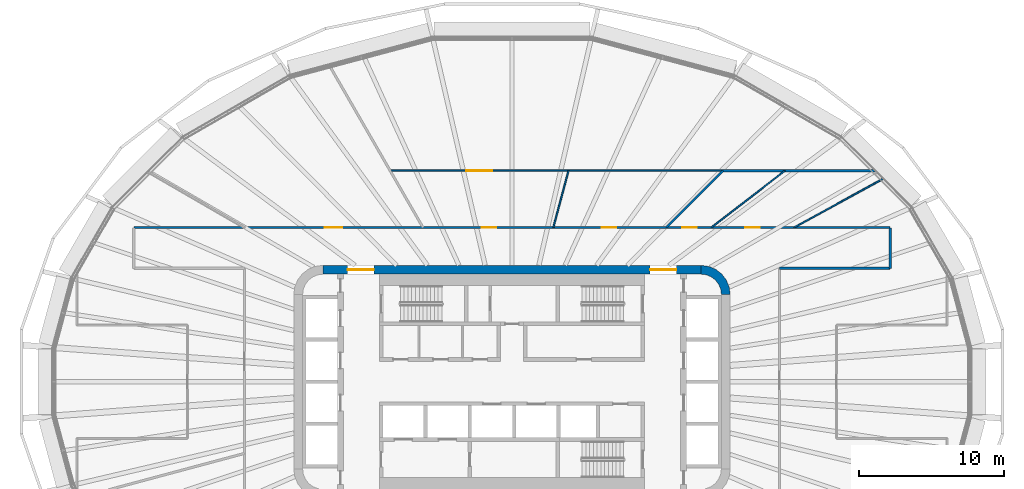
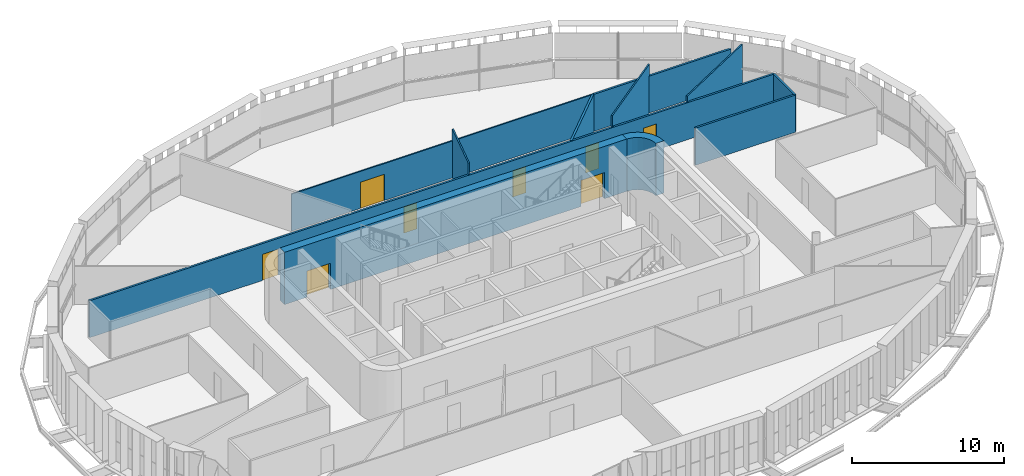
# One storey, part 17 of 25: 11 walls, 8 doors, 8 openings.
"""IFC4 building model written with IfcOpenShell, lengths in metres."""

from ifc_helpers import new_model, si_unit, direction, frame, frame_2d, origin, place, context, subcontext, project, spatial, polyline, rectangle, outline, extrude, material, layer, layer_set, type_object, element, fill, save


model = new_model("IFC4")

# Units and contexts
model_context = context("Model", 3, precision=1e-05, world=origin(), true_north=direction((0.0, 1.0)))
body_context = subcontext(model_context, "Body", "Model", "MODEL_VIEW")
ifc_project = project(units=[si_unit("LENGTHUNIT", "METRE"), si_unit("AREAUNIT", "SQUARE_METRE"), si_unit("VOLUMEUNIT", "CUBIC_METRE"), si_unit("PLANEANGLEUNIT", "RADIAN"), si_unit("MASSUNIT", "GRAM", prefix="KILO")], contexts=[model_context])

# Site, building, storey
site_placement = place(None, origin())
site = spatial("IfcSite", under=ifc_project, at=site_placement, CompositionType="ELEMENT")
building_placement = place(site_placement, origin())
building = spatial("IfcBuilding", under=site, at=building_placement, Name="Sahrelin Media Tower", CompositionType="ELEMENT")
storey_placement = place(building_placement, frame((0.0, 0.0, 139.800048828125)))
storey = spatial("IfcBuildingStorey", under=building, at=storey_placement, Name="L28", CompositionType="ELEMENT", Elevation=139.800048828125)

# Wall, openings, doors
ifc_material_1 = material(Name="Concrete C60/75", Category="concrete")
ifc_layer_1 = layer(ifc_material_1, 0.60009765625)
ifc_layer_set_1 = layer_set([ifc_layer_1], Name="Core wall 600")
wall_type_1 = type_object("IfcWallType", Name="Core wall 600", PredefinedType="SHEAR", material=ifc_layer_set_1)
wall_1_placement = place(storey_placement, frame((-13.0, 7.699951171875, 0.0), z_axis=(0.0, 0.0, 1.0), x_axis=(1.0, 0.0, 0.0)))
wall_1 = element("IfcWall", 1, at=wall_1_placement, inside=storey, type_object=wall_type_1, Name="Core wall N L28", PredefinedType="SHEAR", context=body_context, shape_type="SweptSolid", body=[
    extrude(rectangle(XDim=26.0, YDim=0.60009765625, at=frame_2d((13.0, 0.0))), origin(), (0.0, 0.0, 1.0), 4.199951171875),
])
opening_1_placement = place(wall_1_placement, frame((1.699951171875, 0.0, 0.0)))
opening_1 = element("IfcOpeningElement", 2, at=opening_1_placement, cuts=wall_1, Name="Opening L28-D17", PredefinedType="OPENING", context=body_context, shape_type="SweptSolid", body=[
    extrude(rectangle(XDim=1.800048828125, YDim=2.10009765625, at=frame_2d((0.89990234375, 1.050048828125))), frame((0.0, 0.300048828125, 0.0), z_axis=(0.0, -1.0, 0.0), x_axis=(1.0, 0.0, 0.0)), (0.0, 0.0, 1.0), 0.60009765625),
])
opening_2_placement = place(wall_1_placement, frame((22.5, 0.0, 0.0)))
opening_2 = element("IfcOpeningElement", 3, at=opening_2_placement, cuts=wall_1, Name="Opening L28-D18", PredefinedType="OPENING", context=body_context, shape_type="SweptSolid", body=[
    extrude(rectangle(XDim=1.800048828125, YDim=2.10009765625, at=frame_2d((0.89990234375, 1.050048828125))), frame((0.0, 0.300048828125, 0.0), z_axis=(0.0, -1.0, 0.0), x_axis=(1.0, 0.0, 0.0)), (0.0, 0.0, 1.0), 0.60009765625),
])
ifc_material_2 = material(Name="Steel fire door leaf", Category="steel")
door_type_1 = type_object("IfcDoorType", Name="Lobby double door 1800 x 2100 EI 60", OperationType="DOUBLE_DOOR_SINGLE_SWING", PredefinedType="DOOR", material=ifc_material_2)
door_1_placement = place(opening_1_placement, origin())
door_1 = element("IfcDoor", 4, at=door_1_placement, inside=storey, type_object=door_type_1, Name="Lobby door", OperationType="DOUBLE_DOOR_SINGLE_SWING", OverallHeight=2.10009765625, OverallWidth=1.800048828125, PredefinedType="DOOR", context=body_context, shape_type="SweptSolid", body=[
    extrude(rectangle(XDim=1.800048828125, YDim=2.10009765625, at=frame_2d((0.89990234375, 1.050048828125))), frame((0.0, 0.02490234375, 0.0), z_axis=(0.0, -1.0, 0.0), x_axis=(1.0, 0.0, 0.0)), (0.0, 0.0, 1.0), 0.050048828125),
])
fill(opening_1, door_1)
door_2_placement = place(opening_2_placement, origin())
door_2 = element("IfcDoor", 5, at=door_2_placement, inside=storey, type_object=door_type_1, Name="Lobby door", OperationType="DOUBLE_DOOR_SINGLE_SWING", OverallHeight=2.10009765625, OverallWidth=1.800048828125, PredefinedType="DOOR", context=body_context, shape_type="SweptSolid", body=[
    extrude(rectangle(XDim=1.800048828125, YDim=2.10009765625, at=frame_2d((0.89990234375, 1.050048828125))), frame((0.0, 0.02490234375, 0.0), z_axis=(0.0, -1.0, 0.0), x_axis=(1.0, 0.0, 0.0)), (0.0, 0.0, 1.0), 0.050048828125),
])
fill(opening_2, door_2)

# Walls
wall_2_placement = place(storey_placement, origin())
element("IfcWall", 6, at=wall_2_placement, inside=storey, type_object=wall_type_1, Name="Core wall corner NE L28", PredefinedType="SHEAR", context=body_context, shape_type="SweptSolid", body=[
    extrude(outline(polyline([(13.0, 8.0), (13.0, 7.394775390625), (13.361083984375, 7.347412109375), (13.697509765625, 7.2080078125), (13.986328125, 6.986328125), (14.2080078125, 6.697509765625), (14.347412109375, 6.361083984375), (14.394775390625, 6.0), (15.0, 6.0), (14.931884765625, 6.517578125), (14.732177734375, 7.0), (14.414306640625, 7.414306640625), (14.0, 7.732177734375), (13.517578125, 7.931884765625), (13.0, 8.0)])), origin(), (0.0, 0.0, 1.0), 4.199951171875),
])
ifc_material_3 = material(Name="Fire-rated gypsum board partition")
ifc_layer_2 = layer(ifc_material_3, 0.14990234375)
ifc_layer_set_2 = layer_set([ifc_layer_2], Name="Fire-rated partition 150")
wall_type_2 = type_object("IfcWallType", Name="Fire-rated partition 150", PredefinedType="PARTITIONING", material=ifc_layer_set_2)
wall_3_placement = place(storey_placement, frame((18.39990234375, 7.800048828125, 0.0), z_axis=(0.0, 0.0, 1.0), x_axis=(1.0, 0.0, 0.0)))
element("IfcWall", 7, at=wall_3_placement, inside=storey, type_object=wall_type_2, Name="Wall", PredefinedType="PARTITIONING", context=body_context, shape_type="SweptSolid", body=[
    extrude(rectangle(XDim=7.60009765625, YDim=0.14990234375, at=frame_2d((3.800048828125, 0.0))), origin(), (0.0, 0.0, 1.0), 2.97705078125),
])

# Wall, openings, doors
wall_4_placement = place(storey_placement, frame((-25.986083984375, 10.60009765625, 0.0), z_axis=(0.0, 0.0, 1.0), x_axis=(1.0, 0.0, 0.0)))
wall_4 = element("IfcWall", 8, at=wall_4_placement, inside=storey, type_object=wall_type_2, Name="Wall", PredefinedType="PARTITIONING", context=body_context, shape_type="SweptSolid", body=[
    extrude(rectangle(XDim=51.97216796875, YDim=0.14990234375, at=frame_2d((25.986083984375, 0.0))), origin(), (0.0, 0.0, 1.0), 2.96826171875),
])
opening_3_placement = place(wall_4_placement, frame((42.031494140625, 0.0, 0.0)))
opening_3 = element("IfcOpeningElement", 9, at=opening_3_placement, cuts=wall_4, Name="Opening L28-D23", PredefinedType="OPENING", context=body_context, shape_type="SweptSolid", body=[
    extrude(rectangle(XDim=1.0, YDim=2.10009765625, at=frame_2d((0.5, 1.050048828125))), frame((0.0, 0.074951171875, 0.0), z_axis=(0.0, -1.0, 0.0), x_axis=(1.0, 0.0, 0.0)), (0.0, 0.0, 1.0), 0.14990234375),
])
opening_4_placement = place(wall_4_placement, frame((37.68994140625, 0.0, 0.0)))
opening_4 = element("IfcOpeningElement", 10, at=opening_4_placement, cuts=wall_4, Name="Opening L28-D24", PredefinedType="OPENING", context=body_context, shape_type="SweptSolid", body=[
    extrude(rectangle(XDim=1.0, YDim=2.10009765625, at=frame_2d((0.5, 1.050048828125))), frame((0.0, 0.074951171875, 0.0), z_axis=(0.0, -1.0, 0.0), x_axis=(1.0, 0.0, 0.0)), (0.0, 0.0, 1.0), 0.14990234375),
])
opening_5_placement = place(wall_4_placement, frame((32.155517578125, 0.0, 0.0)))
opening_5 = element("IfcOpeningElement", 11, at=opening_5_placement, cuts=wall_4, Name="Opening L28-D26", PredefinedType="OPENING", context=body_context, shape_type="SweptSolid", body=[
    extrude(rectangle(XDim=1.0, YDim=2.10009765625, at=frame_2d((0.5, 1.050048828125))), frame((0.0, 0.074951171875, 0.0), z_axis=(0.0, -1.0, 0.0), x_axis=(1.0, 0.0, 0.0)), (0.0, 0.0, 1.0), 0.14990234375),
])
opening_6_placement = place(wall_4_placement, frame((23.896484375, 0.0, 0.0)))
opening_6 = element("IfcOpeningElement", 12, at=opening_6_placement, cuts=wall_4, Name="Opening L28-D27", PredefinedType="OPENING", context=body_context, shape_type="SweptSolid", body=[
    extrude(rectangle(XDim=1.0, YDim=2.10009765625, at=frame_2d((0.5, 1.050048828125))), frame((0.0, 0.074951171875, 0.0), z_axis=(0.0, -1.0, 0.0), x_axis=(1.0, 0.0, 0.0)), (0.0, 0.0, 1.0), 0.14990234375),
])
opening_7_placement = place(wall_4_placement, frame((13.1259765625, 0.0, 0.0)))
opening_7 = element("IfcOpeningElement", 13, at=opening_7_placement, cuts=wall_4, Name="Opening L28-D29", PredefinedType="OPENING", context=body_context, shape_type="SweptSolid", body=[
    extrude(rectangle(XDim=1.199951171875, YDim=2.10009765625, at=frame_2d((0.60009765625, 1.050048828125))), frame((0.0, 0.074951171875, 0.0), z_axis=(0.0, -1.0, 0.0), x_axis=(1.0, 0.0, 0.0)), (0.0, 0.0, 1.0), 0.14990234375),
])
door_type_2 = type_object("IfcDoorType", Name="Fire door 1000 x 2100 EI 60", OperationType="NOTDEFINED", PredefinedType="DOOR", material=ifc_material_2)
door_3_placement = place(opening_3_placement, origin())
door_3 = element("IfcDoor", 14, at=door_3_placement, inside=storey, type_object=door_type_2, Name="Fire door", OperationType="SINGLE_SWING_RIGHT", OverallHeight=2.10009765625, OverallWidth=1.0, PredefinedType="DOOR", context=body_context, shape_type="SweptSolid", body=[
    extrude(rectangle(XDim=1.0, YDim=2.10009765625, at=frame_2d((0.5, 1.050048828125))), frame((0.0, 0.02490234375, 0.0), z_axis=(0.0, -1.0, 0.0), x_axis=(1.0, 0.0, 0.0)), (0.0, 0.0, 1.0), 0.050048828125),
])
fill(opening_3, door_3)
door_4_placement = place(opening_4_placement, origin())
door_4 = element("IfcDoor", 15, at=door_4_placement, inside=storey, type_object=door_type_2, Name="Fire door", OperationType="SINGLE_SWING_LEFT", OverallHeight=2.10009765625, OverallWidth=1.0, PredefinedType="DOOR", context=body_context, shape_type="SweptSolid", body=[
    extrude(rectangle(XDim=1.0, YDim=2.10009765625, at=frame_2d((0.5, 1.050048828125))), frame((0.0, 0.02490234375, 0.0), z_axis=(0.0, -1.0, 0.0), x_axis=(1.0, 0.0, 0.0)), (0.0, 0.0, 1.0), 0.050048828125),
])
fill(opening_4, door_4)
door_5_placement = place(opening_5_placement, origin())
door_5 = element("IfcDoor", 16, at=door_5_placement, inside=storey, type_object=door_type_2, Name="Fire door", OperationType="SINGLE_SWING_RIGHT", OverallHeight=2.10009765625, OverallWidth=1.0, PredefinedType="DOOR", context=body_context, shape_type="SweptSolid", body=[
    extrude(rectangle(XDim=1.0, YDim=2.10009765625, at=frame_2d((0.5, 1.050048828125))), frame((0.0, 0.02490234375, 0.0), z_axis=(0.0, -1.0, 0.0), x_axis=(1.0, 0.0, 0.0)), (0.0, 0.0, 1.0), 0.050048828125),
])
fill(opening_5, door_5)
door_6_placement = place(opening_6_placement, origin())
door_6 = element("IfcDoor", 17, at=door_6_placement, inside=storey, type_object=door_type_2, Name="Fire door", OperationType="SINGLE_SWING_LEFT", OverallHeight=2.10009765625, OverallWidth=1.0, PredefinedType="DOOR", context=body_context, shape_type="SweptSolid", body=[
    extrude(rectangle(XDim=1.0, YDim=2.10009765625, at=frame_2d((0.5, 1.050048828125))), frame((0.0, 0.02490234375, 0.0), z_axis=(0.0, -1.0, 0.0), x_axis=(1.0, 0.0, 0.0)), (0.0, 0.0, 1.0), 0.050048828125),
])
fill(opening_6, door_6)
door_type_3 = type_object("IfcDoorType", Name="Service double door 1200 x 2100 EI 60", OperationType="DOUBLE_DOOR_SINGLE_SWING", PredefinedType="DOOR", material=ifc_material_2)
door_7_placement = place(opening_7_placement, origin())
door_7 = element("IfcDoor", 18, at=door_7_placement, inside=storey, type_object=door_type_3, Name="Service double door", OperationType="DOUBLE_DOOR_SINGLE_SWING", OverallHeight=2.10009765625, OverallWidth=1.199951171875, PredefinedType="DOOR", context=body_context, shape_type="SweptSolid", body=[
    extrude(rectangle(XDim=1.199951171875, YDim=2.10009765625, at=frame_2d((0.60009765625, 1.050048828125))), frame((0.0, 0.02490234375, 0.0), z_axis=(0.0, -1.0, 0.0), x_axis=(1.0, 0.0, 0.0)), (0.0, 0.0, 1.0), 0.050048828125),
])
fill(opening_7, door_7)

# Walls
wall_5_placement = place(storey_placement, frame((14.510009765625, 14.510009765625, 0.0), z_axis=(0.0, 0.0, 1.0), x_axis=(1.0, 0.0, 0.0)))
element("IfcWall", 19, at=wall_5_placement, inside=storey, type_object=wall_type_2, Name="Wall", PredefinedType="PARTITIONING", context=body_context, shape_type="SweptSolid", body=[
    extrude(rectangle(XDim=10.4599609375, YDim=0.14990234375, at=frame_2d((5.22998046875, 0.0))), origin(), (0.0, 0.0, 1.0), 2.96826171875),
])
wall_6_placement = place(storey_placement, frame((10.60009765625, 10.60009765625, 0.0), z_axis=(0.0, 0.0, 1.0), x_axis=(0.707106781187, 0.707106781187, 0.0)))
element("IfcWall", 20, at=wall_6_placement, inside=storey, type_object=wall_type_2, Name="Wall", PredefinedType="PARTITIONING", context=body_context, shape_type="SweptSolid", body=[
    extrude(rectangle(XDim=5.529541015625, YDim=0.14990234375, at=frame_2d((2.7646484375, 0.0))), origin(), (0.0, 0.0, 1.0), 2.96826171875),
])
wall_7_placement = place(storey_placement, frame((26.0, 7.800048828125, 0.0), z_axis=(0.0, 0.0, 1.0), x_axis=(0.0, 1.0, 0.0)))
element("IfcWall", 21, at=wall_7_placement, inside=storey, type_object=wall_type_2, Name="Wall", PredefinedType="PARTITIONING", context=body_context, shape_type="SweptSolid", body=[
    extrude(rectangle(XDim=2.77490234375, YDim=0.14990234375, at=frame_2d((1.387451171875, 0.0))), origin(), (0.0, 0.0, 1.0), 2.97705078125),
])

# Wall, opening, door
ifc_material_4 = material(Name="Gypsum board partition")
ifc_layer_3 = layer(ifc_material_4, 0.10009765625)
ifc_layer_set_3 = layer_set([ifc_layer_3], Name="Partition 100")
wall_type_3 = type_object("IfcWallType", Name="Partition 100", PredefinedType="PARTITIONING", material=ifc_layer_set_3)
wall_8_placement = place(storey_placement, frame((-8.3779296875, 14.510009765625, 0.0), z_axis=(0.0, 0.0, 1.0), x_axis=(1.0, 0.0, 0.0)))
wall_8 = element("IfcWall", 22, at=wall_8_placement, inside=storey, type_object=wall_type_3, Name="Wall", PredefinedType="PARTITIONING", context=body_context, shape_type="SweptSolid", body=[
    extrude(rectangle(XDim=22.887939453125, YDim=0.10009765625, at=frame_2d((11.44384765625, 0.0))), origin(), (0.0, 0.0, 1.0), 2.96826171875),
])
opening_8_placement = place(wall_8_placement, frame((5.23291015625, 0.0, 0.0)))
opening_8 = element("IfcOpeningElement", 23, at=opening_8_placement, cuts=wall_8, Name="Opening L28-D28", PredefinedType="OPENING", context=body_context, shape_type="SweptSolid", body=[
    extrude(rectangle(XDim=1.800048828125, YDim=2.10009765625, at=frame_2d((0.89990234375, 1.050048828125))), frame((0.0, 0.050048828125, 0.0), z_axis=(0.0, -1.0, 0.0), x_axis=(1.0, 0.0, 0.0)), (0.0, 0.0, 1.0), 0.10009765625),
])
ifc_material_5 = material(Name="Timber door leaf", Category="wood")
door_type_4 = type_object("IfcDoorType", Name="Double door 1800 x 2100", OperationType="DOUBLE_DOOR_SINGLE_SWING", PredefinedType="DOOR", material=ifc_material_5)
door_8_placement = place(opening_8_placement, origin())
door_8 = element("IfcDoor", 24, at=door_8_placement, inside=storey, type_object=door_type_4, Name="Double door", OperationType="DOUBLE_DOOR_SINGLE_SWING", OverallHeight=2.10009765625, OverallWidth=1.800048828125, PredefinedType="DOOR", context=body_context, shape_type="SweptSolid", body=[
    extrude(rectangle(XDim=1.800048828125, YDim=2.10009765625, at=frame_2d((0.89990234375, 1.050048828125))), frame((0.0, 0.02490234375, 0.0), z_axis=(0.0, -1.0, 0.0), x_axis=(1.0, 0.0, 0.0)), (0.0, 0.0, 1.0), 0.050048828125),
])
fill(opening_8, door_8)

# Walls
wall_9_placement = place(storey_placement, frame((19.384033203125, 10.60009765625, 0.0), z_axis=(0.0, 0.0, 1.0), x_axis=(0.877388352769, 0.479780865006, 0.0)))
element("IfcWall", 25, at=wall_9_placement, inside=storey, type_object=wall_type_3, Name="Wall", PredefinedType="PARTITIONING", context=body_context, shape_type="SweptSolid", body=[
    extrude(rectangle(XDim=6.996826171875, YDim=0.10009765625, at=frame_2d((3.49853515625, 0.0))), origin(), (0.0, 0.0, 1.0), 3.4736328125),
])
wall_10_placement = place(storey_placement, frame((13.70703125, 10.60009765625, 0.0), z_axis=(0.0, 0.0, 1.0), x_axis=(0.791052244704, 0.611748597177, 0.0)))
element("IfcWall", 26, at=wall_10_placement, inside=storey, type_object=wall_type_3, Name="Wall", PredefinedType="PARTITIONING", context=body_context, shape_type="SweptSolid", body=[
    extrude(rectangle(XDim=6.391357421875, YDim=0.10009765625, at=frame_2d((3.19580078125, 0.0))), origin(), (0.0, 0.0, 1.0), 3.89990234375),
])
wall_11_placement = place(storey_placement, frame((2.840087890625, 10.60009765625, 0.0), z_axis=(0.0, 0.0, 1.0), x_axis=(0.258863707653, 0.965913857888, 0.0)))
element("IfcWall", 27, at=wall_11_placement, inside=storey, type_object=wall_type_3, Name="Wall", PredefinedType="PARTITIONING", context=body_context, shape_type="SweptSolid", body=[
    extrude(rectangle(XDim=4.0478515625, YDim=0.10009765625, at=frame_2d((2.02392578125, 0.0))), origin(), (0.0, 0.0, 1.0), 3.89990234375),
])

save(model, "model.ifc")
